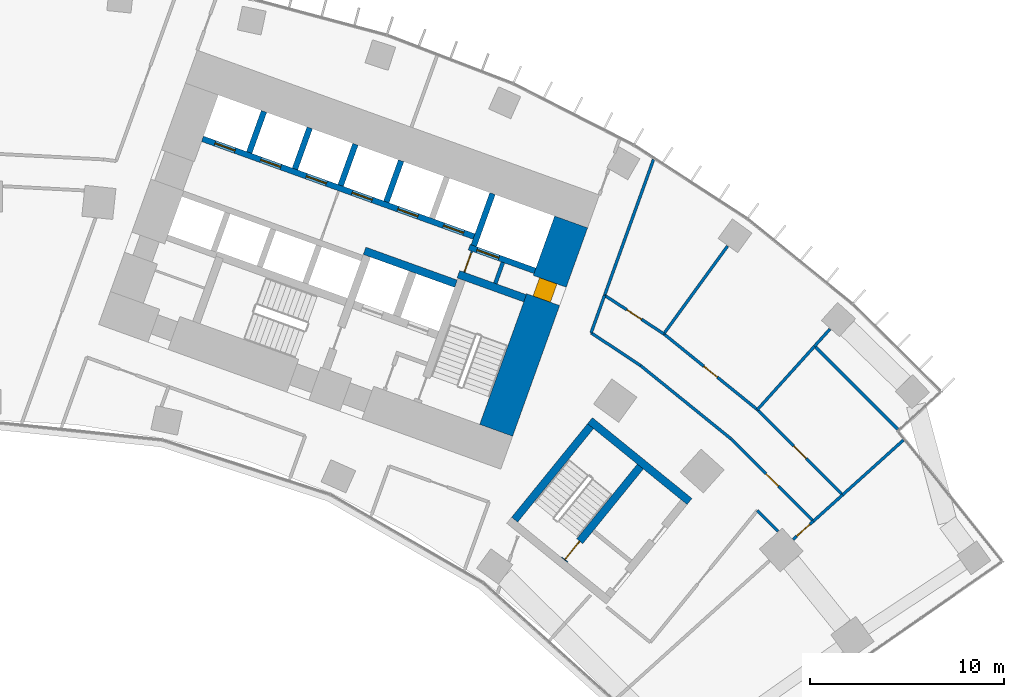
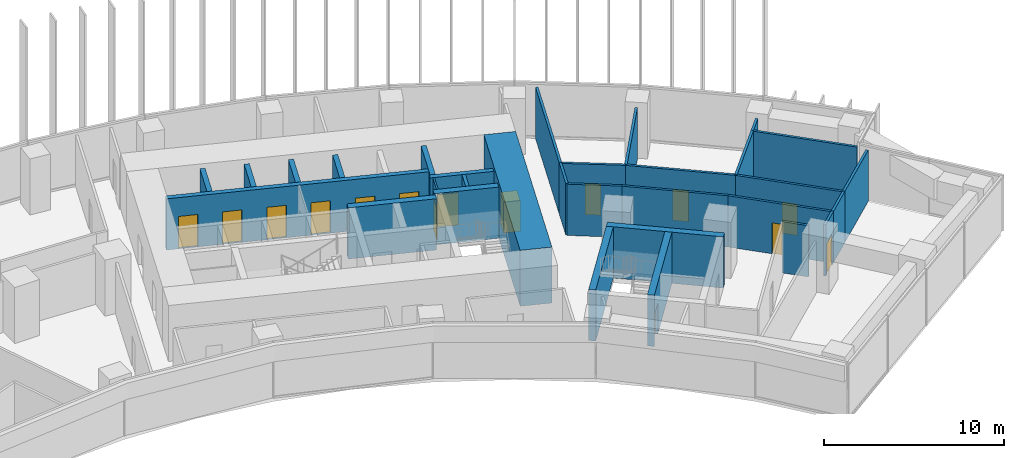
# One storey, part 21 of 24: 31 walls, 15 doors, 15 openings.
"""IFC4 building model written with IfcOpenShell, lengths in metres."""

from ifc_helpers import new_model, si_unit, direction, frame, frame_2d, origin, place, context, subcontext, project, spatial, rectangle, extrude, material, layer, layer_set, type_object, element, fill, save


model = new_model("IFC4")

# Units and contexts
model_context = context("Model", 3, precision=1e-05, world=origin(), true_north=direction((0.0, 1.0)))
body_context = subcontext(model_context, "Body", "Model", "MODEL_VIEW")
ifc_project = project(units=[si_unit("LENGTHUNIT", "METRE"), si_unit("AREAUNIT", "SQUARE_METRE"), si_unit("VOLUMEUNIT", "CUBIC_METRE"), si_unit("PLANEANGLEUNIT", "RADIAN"), si_unit("MASSUNIT", "GRAM", prefix="KILO")], contexts=[model_context])

# Site, building, storey
site_placement = place(None, origin())
site = spatial("IfcSite", under=ifc_project, at=site_placement, CompositionType="ELEMENT")
building_placement = place(site_placement, origin())
building = spatial("IfcBuilding", under=site, at=building_placement, Name="Stone Belt Terrace Tower", CompositionType="ELEMENT")
storey_placement = place(building_placement, frame((0.0, 0.0, 64.199951171875)))
storey = spatial("IfcBuildingStorey", under=building, at=storey_placement, Name="L15", CompositionType="ELEMENT", Elevation=64.199951171875)

# Wall, opening, door
ifc_material_1 = material(Name="Plasterboard partition")
ifc_layer_1 = layer(ifc_material_1, 0.10009765625)
ifc_layer_set_1 = layer_set([ifc_layer_1], Name="Core partition 100")
wall_type_1 = type_object("IfcWallType", Name="Core partition 100", PredefinedType="PARTITIONING", material=ifc_layer_set_1)
wall_1_placement = place(storey_placement, frame((24.555908203125, 51.10400390625, 0.0), z_axis=(0.0, 0.0, 1.0), x_axis=(0.338621735342, 0.94092258999, 0.0)))
wall_1 = element("IfcWall", 1, at=wall_1_placement, inside=storey, type_object=wall_type_1, Name="Core B wall", PredefinedType="PARTITIONING", context=body_context, shape_type="SweptSolid", body=[
    extrude(rectangle(XDim=1.14990234375, YDim=0.10009765625, at=frame_2d((0.574951171875, 0.0))), origin(), (0.0, 0.0, 1.0), 3.47998046875),
])
opening_1_placement = place(wall_1_placement, frame((0.050048828125, 0.0, 0.0)))
opening_1 = element("IfcOpeningElement", 2, at=opening_1_placement, cuts=wall_1, Name="Opening L15-C13", PredefinedType="OPENING", context=body_context, shape_type="SweptSolid", body=[
    extrude(rectangle(XDim=1.0, YDim=2.10009765625, at=frame_2d((0.5, 1.050048828125))), frame((0.0, 0.06005859375, 0.0), z_axis=(0.0, -1.0, 0.0), x_axis=(1.0, 0.0, 0.0)), (0.0, 0.0, 1.0), 0.1201171875),
])
ifc_material_2 = material(Name="Timber door leaf", Category="wood")
door_type_1 = type_object("IfcDoorType", Name="Core room door 1000", OperationType="SINGLE_SWING_LEFT", PredefinedType="DOOR", material=ifc_material_2)
door_1_placement = place(opening_1_placement, origin())
door_1 = element("IfcDoor", 3, at=door_1_placement, inside=storey, type_object=door_type_1, Name="Service lift lobby door core B", OperationType="SINGLE_SWING_RIGHT", OverallHeight=2.10009765625, OverallWidth=1.0, PredefinedType="DOOR", context=body_context, shape_type="SweptSolid", body=[
    extrude(rectangle(XDim=1.0, YDim=2.10009765625, at=frame_2d((0.5, 1.050048828125))), frame((0.0, 0.02490234375, 0.0), z_axis=(0.0, -1.0, 0.0), x_axis=(1.0, 0.0, 0.0)), (0.0, 0.0, 1.0), 0.050048828125),
])
fill(opening_1, door_1)

ifc_material_3 = material(Name="Concrete B80", Category="concrete")
ifc_layer_2 = layer(ifc_material_3, 1.800048828125)
ifc_layer_set_2 = layer_set([ifc_layer_2], Name="Core wall 1800 B80")
wall_type_2 = type_object("IfcWallType", Name="Core wall 1800 B80", PredefinedType="SHEAR", material=ifc_layer_set_2)
wall_2_placement = place(storey_placement, frame((26.197509765625, 42.96728515625, 0.0), z_axis=(0.0, 0.0, 1.0), x_axis=(0.338625431531, 0.940921259788, 0.0)))
wall_2 = element("IfcWall", 4, at=wall_2_placement, inside=storey, type_object=wall_type_2, Name="Core B wall end_b L15", PredefinedType="SHEAR", context=body_context, shape_type="SweptSolid", body=[
    extrude(rectangle(XDim=11.400146484375, YDim=1.800048828125, at=frame_2d((5.7001953125, 0.0))), origin(), (0.0, 0.0, 1.0), 3.800048828125),
])
opening_2_placement = place(wall_2_placement, frame((7.150146484375, 0.0, 0.0)))
opening_2 = element("IfcOpeningElement", 5, at=opening_2_placement, cuts=wall_2, Name="Opening L15-C12", PredefinedType="OPENING", context=body_context, shape_type="SweptSolid", body=[
    extrude(rectangle(XDim=1.0, YDim=2.10009765625, at=frame_2d((0.5, 1.050048828125))), frame((0.0, 0.909912109375, 0.0), z_axis=(0.0, -1.0, 0.0), x_axis=(1.0, 0.0, 0.0)), (0.0, 0.0, 1.0), 1.820068359375),
])
door_2_placement = place(opening_2_placement, origin())
door_2 = element("IfcDoor", 6, at=door_2_placement, inside=storey, type_object=door_type_1, Name="Door to Telecommunications riser room core B", OperationType="SINGLE_SWING_LEFT", OverallHeight=2.10009765625, OverallWidth=1.0, PredefinedType="DOOR", context=body_context, shape_type="SweptSolid", body=[
    extrude(rectangle(XDim=1.0, YDim=2.10009765625, at=frame_2d((0.5, 1.050048828125))), frame((0.0, 0.55517578125, 0.0), z_axis=(0.0, -1.0, 0.0), x_axis=(1.0, 0.0, 0.0)), (0.0, 0.0, 1.0), 0.949951171875),
])
fill(opening_2, door_2)

# Wall
ifc_layer_3 = layer(ifc_material_3, 0.39990234375)
ifc_layer_set_3 = layer_set([ifc_layer_3], Name="Fire-fighting lift shaft wall 400")
wall_type_3 = type_object("IfcWallType", Name="Fire-fighting lift shaft wall 400", PredefinedType="SHEAR", material=ifc_layer_set_3)
wall_3_placement = place(storey_placement, frame((24.130615234375, 50.512939453125, 0.0), z_axis=(0.0, 0.0, 1.0), x_axis=(-0.94091168377, 0.338652038744, 0.0)))
element("IfcWall", 7, at=wall_3_placement, inside=storey, type_object=wall_type_3, Name="Core B wall", PredefinedType="SHEAR", context=body_context, shape_type="SweptSolid", body=[
    extrude(rectangle(XDim=5.000244140625, YDim=0.39990234375, at=frame_2d((2.5, 0.0))), origin(), (0.0, 0.0, 1.0), 3.47998046875),
])

# Wall, opening, door
ifc_layer_4 = layer(ifc_material_3, 0.300048828125)
ifc_layer_set_4 = layer_set([ifc_layer_4], Name="Lift shaft wall 300")
wall_type_4 = type_object("IfcWallType", Name="Lift shaft wall 300", PredefinedType="SHEAR", material=ifc_layer_set_4)
wall_4_placement = place(storey_placement, frame((28.195068359375, 51.17578125, 0.0), z_axis=(0.0, 0.0, 1.0), x_axis=(-0.940901243567, 0.338681044427, 0.0)))
wall_4 = element("IfcWall", 8, at=wall_4_placement, inside=storey, type_object=wall_type_4, Name="Core B wall", PredefinedType="SHEAR", context=body_context, shape_type="SweptSolid", body=[
    extrude(rectangle(XDim=3.599853515625, YDim=0.300048828125, at=frame_2d((1.7998046875, 0.0))), origin(), (0.0, 0.0, 1.0), 3.47998046875),
])
opening_3_placement = place(wall_4_placement, frame((1.969970703125, 0.0, 0.0)))
opening_3 = element("IfcOpeningElement", 9, at=opening_3_placement, cuts=wall_4, Name="Opening L15-LD18", PredefinedType="OPENING", context=body_context, shape_type="SweptSolid", body=[
    extrude(rectangle(XDim=1.199951171875, YDim=2.199951171875, at=frame_2d((0.60009765625, 1.10009765625))), frame((0.0, 0.159912109375, 0.0), z_axis=(0.0, -1.0, 0.0), x_axis=(1.0, 0.0, 0.0)), (0.0, 0.0, 1.0), 0.320068359375),
])
ifc_material_4 = material(Name="Stainless steel door leaf", Category="steel")
door_type_2 = type_object("IfcDoorType", Name="Landing door 1200", OperationType="SLIDING_TO_LEFT", PredefinedType="DOOR", material=ifc_material_4)
door_3_placement = place(opening_3_placement, origin())
door_3 = element("IfcDoor", 10, at=door_3_placement, inside=storey, type_object=door_type_2, Name="Landing door SV1 core B", OperationType="SLIDING_TO_LEFT", OverallHeight=2.199951171875, OverallWidth=1.199951171875, PredefinedType="DOOR", context=body_context, shape_type="SweptSolid", body=[
    extrude(rectangle(XDim=1.199951171875, YDim=2.199951171875, at=frame_2d((0.60009765625, 1.10009765625))), frame((0.0, 0.02490234375, 0.0), z_axis=(0.0, -1.0, 0.0), x_axis=(1.0, 0.0, 0.0)), (0.0, 0.0, 1.0), 0.050048828125),
])
fill(opening_3, door_3)

# Wall
wall_5_placement = place(storey_placement, frame((25.046875, 52.46826171875, 0.0), z_axis=(0.0, 0.0, 1.0), x_axis=(0.338549588058, 0.940948551423, 0.0)))
element("IfcWall", 11, at=wall_5_placement, inside=storey, type_object=wall_type_4, Name="Core B wall", PredefinedType="SHEAR", context=body_context, shape_type="SweptSolid", body=[
    extrude(rectangle(XDim=2.849853515625, YDim=0.300048828125, at=frame_2d((1.4248046875, 0.0))), origin(), (0.0, 0.0, 1.0), 3.47998046875),
])

# Wall, openings, doors
wall_6_placement = place(storey_placement, frame((25.05810546875, 52.9423828125, 0.0), z_axis=(0.0, 0.0, 1.0), x_axis=(-0.940918215764, 0.338633889685, 0.0)))
wall_6 = element("IfcWall", 12, at=wall_6_placement, inside=storey, type_object=wall_type_4, Name="Core B wall", PredefinedType="SHEAR", context=body_context, shape_type="SweptSolid", body=[
    extrude(rectangle(XDim=14.850341796875, YDim=0.300048828125, at=frame_2d((7.42529296875, 0.0))), origin(), (0.0, 0.0, 1.0), 3.47998046875),
])
opening_4_placement = place(wall_6_placement, frame((0.570068359375, 0.0, 0.0)))
opening_4 = element("IfcOpeningElement", 13, at=opening_4_placement, cuts=wall_6, Name="Opening L15-LD10", PredefinedType="OPENING", context=body_context, shape_type="SweptSolid", body=[
    extrude(rectangle(XDim=1.10009765625, YDim=2.199951171875, at=frame_2d((0.550048828125, 1.10009765625))), frame((0.0, 0.159912109375, 0.0), z_axis=(0.0, -1.0, 0.0), x_axis=(1.0, 0.0, 0.0)), (0.0, 0.0, 1.0), 0.320068359375),
])
opening_5_placement = place(wall_6_placement, frame((3.070068359375, 0.0, 0.0)))
opening_5 = element("IfcOpeningElement", 14, at=opening_5_placement, cuts=wall_6, Name="Opening L15-LD11", PredefinedType="OPENING", context=body_context, shape_type="SweptSolid", body=[
    extrude(rectangle(XDim=1.10009765625, YDim=2.199951171875, at=frame_2d((0.550048828125, 1.10009765625))), frame((0.0, 0.159912109375, 0.0), z_axis=(0.0, -1.0, 0.0), x_axis=(1.0, 0.0, 0.0)), (0.0, 0.0, 1.0), 0.320068359375),
])
opening_6_placement = place(wall_6_placement, frame((5.570068359375, 0.0, 0.0)))
opening_6 = element("IfcOpeningElement", 15, at=opening_6_placement, cuts=wall_6, Name="Opening L15-LD12", PredefinedType="OPENING", context=body_context, shape_type="SweptSolid", body=[
    extrude(rectangle(XDim=1.10009765625, YDim=2.199951171875, at=frame_2d((0.550048828125, 1.10009765625))), frame((0.0, 0.159912109375, 0.0), z_axis=(0.0, -1.0, 0.0), x_axis=(1.0, 0.0, 0.0)), (0.0, 0.0, 1.0), 0.320068359375),
])
opening_7_placement = place(wall_6_placement, frame((8.070068359375, 0.0, 0.0)))
opening_7 = element("IfcOpeningElement", 16, at=opening_7_placement, cuts=wall_6, Name="Opening L15-LD13", PredefinedType="OPENING", context=body_context, shape_type="SweptSolid", body=[
    extrude(rectangle(XDim=1.10009765625, YDim=2.199951171875, at=frame_2d((0.550048828125, 1.10009765625))), frame((0.0, 0.159912109375, 0.0), z_axis=(0.0, -1.0, 0.0), x_axis=(1.0, 0.0, 0.0)), (0.0, 0.0, 1.0), 0.320068359375),
])
opening_8_placement = place(wall_6_placement, frame((10.570068359375, 0.0, 0.0)))
opening_8 = element("IfcOpeningElement", 17, at=opening_8_placement, cuts=wall_6, Name="Opening L15-LD14", PredefinedType="OPENING", context=body_context, shape_type="SweptSolid", body=[
    extrude(rectangle(XDim=1.10009765625, YDim=2.199951171875, at=frame_2d((0.550048828125, 1.10009765625))), frame((0.0, 0.159912109375, 0.0), z_axis=(0.0, -1.0, 0.0), x_axis=(1.0, 0.0, 0.0)), (0.0, 0.0, 1.0), 0.320068359375),
])
opening_9_placement = place(wall_6_placement, frame((13.070068359375, 0.0, 0.0)))
opening_9 = element("IfcOpeningElement", 18, at=opening_9_placement, cuts=wall_6, Name="Opening L15-LD15", PredefinedType="OPENING", context=body_context, shape_type="SweptSolid", body=[
    extrude(rectangle(XDim=1.10009765625, YDim=2.199951171875, at=frame_2d((0.550048828125, 1.10009765625))), frame((0.0, 0.159912109375, 0.0), z_axis=(0.0, -1.0, 0.0), x_axis=(1.0, 0.0, 0.0)), (0.0, 0.0, 1.0), 0.320068359375),
])
door_type_3 = type_object("IfcDoorType", Name="Landing door 1100", OperationType="SLIDING_TO_LEFT", PredefinedType="DOOR", material=ifc_material_4)
door_4_placement = place(opening_4_placement, origin())
door_4 = element("IfcDoor", 19, at=door_4_placement, inside=storey, type_object=door_type_3, Name="Landing door LR1 core B", OperationType="SLIDING_TO_LEFT", OverallHeight=2.199951171875, OverallWidth=1.10009765625, PredefinedType="DOOR", context=body_context, shape_type="SweptSolid", body=[
    extrude(rectangle(XDim=1.10009765625, YDim=2.199951171875, at=frame_2d((0.550048828125, 1.10009765625))), frame((0.0, 0.02490234375, 0.0), z_axis=(0.0, -1.0, 0.0), x_axis=(1.0, 0.0, 0.0)), (0.0, 0.0, 1.0), 0.050048828125),
])
fill(opening_4, door_4)
door_5_placement = place(opening_5_placement, origin())
door_5 = element("IfcDoor", 20, at=door_5_placement, inside=storey, type_object=door_type_3, Name="Landing door LR2 core B", OperationType="SLIDING_TO_LEFT", OverallHeight=2.199951171875, OverallWidth=1.10009765625, PredefinedType="DOOR", context=body_context, shape_type="SweptSolid", body=[
    extrude(rectangle(XDim=1.10009765625, YDim=2.199951171875, at=frame_2d((0.550048828125, 1.10009765625))), frame((0.0, 0.02490234375, 0.0), z_axis=(0.0, -1.0, 0.0), x_axis=(1.0, 0.0, 0.0)), (0.0, 0.0, 1.0), 0.050048828125),
])
fill(opening_5, door_5)
door_6_placement = place(opening_6_placement, origin())
door_6 = element("IfcDoor", 21, at=door_6_placement, inside=storey, type_object=door_type_3, Name="Landing door LR3 core B", OperationType="SLIDING_TO_LEFT", OverallHeight=2.199951171875, OverallWidth=1.10009765625, PredefinedType="DOOR", context=body_context, shape_type="SweptSolid", body=[
    extrude(rectangle(XDim=1.10009765625, YDim=2.199951171875, at=frame_2d((0.550048828125, 1.10009765625))), frame((0.0, 0.02490234375, 0.0), z_axis=(0.0, -1.0, 0.0), x_axis=(1.0, 0.0, 0.0)), (0.0, 0.0, 1.0), 0.050048828125),
])
fill(opening_6, door_6)
door_7_placement = place(opening_7_placement, origin())
door_7 = element("IfcDoor", 22, at=door_7_placement, inside=storey, type_object=door_type_3, Name="Landing door LR4 core B", OperationType="SLIDING_TO_LEFT", OverallHeight=2.199951171875, OverallWidth=1.10009765625, PredefinedType="DOOR", context=body_context, shape_type="SweptSolid", body=[
    extrude(rectangle(XDim=1.10009765625, YDim=2.199951171875, at=frame_2d((0.550048828125, 1.10009765625))), frame((0.0, 0.02490234375, 0.0), z_axis=(0.0, -1.0, 0.0), x_axis=(1.0, 0.0, 0.0)), (0.0, 0.0, 1.0), 0.050048828125),
])
fill(opening_7, door_7)
door_8_placement = place(opening_8_placement, origin())
door_8 = element("IfcDoor", 23, at=door_8_placement, inside=storey, type_object=door_type_3, Name="Landing door LR5 core B", OperationType="SLIDING_TO_LEFT", OverallHeight=2.199951171875, OverallWidth=1.10009765625, PredefinedType="DOOR", context=body_context, shape_type="SweptSolid", body=[
    extrude(rectangle(XDim=1.10009765625, YDim=2.199951171875, at=frame_2d((0.550048828125, 1.10009765625))), frame((0.0, 0.02490234375, 0.0), z_axis=(0.0, -1.0, 0.0), x_axis=(1.0, 0.0, 0.0)), (0.0, 0.0, 1.0), 0.050048828125),
])
fill(opening_8, door_8)
door_9_placement = place(opening_9_placement, origin())
door_9 = element("IfcDoor", 24, at=door_9_placement, inside=storey, type_object=door_type_3, Name="Landing door LR6 core B", OperationType="SLIDING_TO_LEFT", OverallHeight=2.199951171875, OverallWidth=1.10009765625, PredefinedType="DOOR", context=body_context, shape_type="SweptSolid", body=[
    extrude(rectangle(XDim=1.10009765625, YDim=2.199951171875, at=frame_2d((0.550048828125, 1.10009765625))), frame((0.0, 0.02490234375, 0.0), z_axis=(0.0, -1.0, 0.0), x_axis=(1.0, 0.0, 0.0)), (0.0, 0.0, 1.0), 0.050048828125),
])
fill(opening_9, door_9)

# Walls
wall_7_placement = place(storey_placement, frame((20.54541015625, 54.72607421875, 0.0), z_axis=(0.0, 0.0, 1.0), x_axis=(0.338569601369, 0.940941350472, 0.0)))
element("IfcWall", 25, at=wall_7_placement, inside=storey, type_object=wall_type_4, Name="Core B wall", PredefinedType="SHEAR", context=body_context, shape_type="SweptSolid", body=[
    extrude(rectangle(XDim=2.249755859375, YDim=0.300048828125, at=frame_2d((1.125, 0.0))), origin(), (0.0, 0.0, 1.0), 3.47998046875),
])
wall_8_placement = place(storey_placement, frame((18.193115234375, 55.572509765625, 0.0), z_axis=(0.0, 0.0, 1.0), x_axis=(0.338535034312, 0.940953787677, 0.0)))
element("IfcWall", 26, at=wall_8_placement, inside=storey, type_object=wall_type_4, Name="Core B wall", PredefinedType="SHEAR", context=body_context, shape_type="SweptSolid", body=[
    extrude(rectangle(XDim=2.25, YDim=0.300048828125, at=frame_2d((1.125, 0.0))), origin(), (0.0, 0.0, 1.0), 3.47998046875),
])
wall_9_placement = place(storey_placement, frame((15.8408203125, 56.419189453125, 0.0), z_axis=(0.0, 0.0, 1.0), x_axis=(0.338569601369, 0.940941350472, 0.0)))
element("IfcWall", 27, at=wall_9_placement, inside=storey, type_object=wall_type_4, Name="Core B wall", PredefinedType="SHEAR", context=body_context, shape_type="SweptSolid", body=[
    extrude(rectangle(XDim=2.249755859375, YDim=0.300048828125, at=frame_2d((1.125, 0.0))), origin(), (0.0, 0.0, 1.0), 3.47998046875),
])
wall_10_placement = place(storey_placement, frame((13.48828125, 57.265625, 0.0), z_axis=(0.0, 0.0, 1.0), x_axis=(0.338631098537, 0.940919220286, 0.0)))
element("IfcWall", 28, at=wall_10_placement, inside=storey, type_object=wall_type_4, Name="Core B wall", PredefinedType="SHEAR", context=body_context, shape_type="SweptSolid", body=[
    extrude(rectangle(XDim=2.250244140625, YDim=0.300048828125, at=frame_2d((1.125, 0.0))), origin(), (0.0, 0.0, 1.0), 3.47998046875),
])
ifc_material_5 = material(Name="Gypsum board partition")
ifc_layer_5 = layer(ifc_material_5, 0.14990234375)
ifc_layer_set_5 = layer_set([ifc_layer_5], Name="PARTITION 150 EI 60")
wall_type_5 = type_object("IfcWallType", Name="PARTITION 150 EI 60", PredefinedType="PARTITIONING", material=ifc_layer_set_5)
wall_11_placement = place(storey_placement, frame((31.781982421875, 49.922119140625, 0.0), z_axis=(0.0, 0.0, 1.0), x_axis=(-0.338669131868, -0.940905531454, 0.0)))
element("IfcWall", 29, at=wall_11_placement, inside=storey, type_object=wall_type_5, Name="L15/wall/i028", PredefinedType="PARTITIONING", context=body_context, shape_type="SweptSolid", body=[
    extrude(rectangle(XDim=2.06103515625, YDim=0.14990234375, at=frame_2d((1.030517578125, 0.0))), origin(), (0.0, 0.0, 1.0), 3.47998046875),
])
wall_12_placement = place(storey_placement, frame((34.298095703125, 56.91015625, 0.0), z_axis=(0.0, 0.0, 1.0), x_axis=(-0.338711334353, -0.94089034004, 0.0)))
element("IfcWall", 30, at=wall_12_placement, inside=storey, type_object=wall_type_5, Name="L15/wall/i029", PredefinedType="PARTITIONING", context=body_context, shape_type="SweptSolid", body=[
    extrude(rectangle(XDim=7.43994140625, YDim=0.14990234375, at=frame_2d((3.719970703125, 0.0))), origin(), (0.0, 0.0, 1.0), 3.47998046875),
])

# Wall, opening, door
wall_13_placement = place(storey_placement, frame((42.530029296875, 38.294921875, 0.0), z_axis=(0.0, 0.0, 1.0), x_axis=(-0.742938582599, -0.669359591316, 0.0)))
wall_13 = element("IfcWall", 31, at=wall_13_placement, inside=storey, type_object=wall_type_5, Name="L15/wall/i059", PredefinedType="PARTITIONING", context=body_context, shape_type="SweptSolid", body=[
    extrude(rectangle(XDim=1.400146484375, YDim=0.14990234375, at=frame_2d((0.7001953125, 0.0))), origin(), (0.0, 0.0, 1.0), 3.47998046875),
])
opening_10_placement = place(wall_13_placement, frame((0.250244140625, 0.0, 0.0)))
opening_10 = element("IfcOpeningElement", 32, at=opening_10_placement, cuts=wall_13, Name="Opening D-A4-21", PredefinedType="OPENING", context=body_context, shape_type="SweptSolid", body=[
    extrude(rectangle(XDim=0.89990234375, YDim=2.10009765625, at=frame_2d((0.449951171875, 1.050048828125))), frame((0.0, 0.0849609375, 0.0), z_axis=(0.0, -1.0, 0.0), x_axis=(1.0, 0.0, 0.0)), (0.0, 0.0, 1.0), 0.169921875),
])
ifc_material_6 = material(Name="Timber fire door leaf", Category="wood")
door_type_4 = type_object("IfcDoorType", Name="TENANCY ENTRANCE DOOR 900 X 2100", OperationType="NOTDEFINED", PredefinedType="DOOR", material=ifc_material_6)
door_10_placement = place(opening_10_placement, origin())
door_10 = element("IfcDoor", 33, at=door_10_placement, inside=storey, type_object=door_type_4, Name="L15/door/i21", OperationType="SINGLE_SWING_RIGHT", OverallHeight=2.10009765625, OverallWidth=0.89990234375, PredefinedType="DOOR", context=body_context, shape_type="SweptSolid", body=[
    extrude(rectangle(XDim=0.89990234375, YDim=2.10009765625, at=frame_2d((0.449951171875, 1.050048828125))), frame((0.0, 0.02490234375, 0.0), z_axis=(0.0, -1.0, 0.0), x_axis=(1.0, 0.0, 0.0)), (0.0, 0.0, 1.0), 0.050048828125),
])
fill(opening_10, door_10)

# Walls
wall_14_placement = place(storey_placement, frame((42.52197265625, 38.287109375, 0.0), z_axis=(0.0, 0.0, 1.0), x_axis=(0.743252398614, 0.66901111497, 0.0)))
element("IfcWall", 34, at=wall_14_placement, inside=storey, type_object=wall_type_5, Name="L15/wall/i061", PredefinedType="PARTITIONING", context=body_context, shape_type="SweptSolid", body=[
    extrude(rectangle(XDim=2.03564453125, YDim=0.14990234375, at=frame_2d((1.017822265625, 0.0))), origin(), (0.0, 0.0, 1.0), 3.47998046875),
])
wall_15_placement = place(storey_placement, frame((44.02587890625, 39.64208984375, 0.0), z_axis=(0.0, 0.0, 1.0), x_axis=(0.743199184027, 0.669070230142, 0.0)))
element("IfcWall", 35, at=wall_15_placement, inside=storey, type_object=wall_type_5, Name="L15/wall/i062", PredefinedType="PARTITIONING", context=body_context, shape_type="SweptSolid", body=[
    extrude(rectangle(XDim=4.218994140625, YDim=0.14990234375, at=frame_2d((2.109375, 0.0))), origin(), (0.0, 0.0, 1.0), 3.47998046875),
])
wall_16_placement = place(storey_placement, frame((40.71240234375, 37.7744140625, 0.0), z_axis=(0.0, 0.0, 1.0), x_axis=(-0.707106781187, 0.707106781187, 0.0)))
element("IfcWall", 36, at=wall_16_placement, inside=storey, type_object=wall_type_5, Name="L15/wall/i063", PredefinedType="PARTITIONING", context=body_context, shape_type="SweptSolid", body=[
    extrude(rectangle(XDim=1.51806640625, YDim=0.14990234375, at=frame_2d((0.759033203125, 0.0))), origin(), (0.0, 0.0, 1.0), 3.47998046875),
])
wall_17_placement = place(storey_placement, frame((31.0859375, 47.988037109375, 0.0), z_axis=(0.0, 0.0, 1.0), x_axis=(0.833238850842, -0.552913209688, 0.0)))
element("IfcWall", 37, at=wall_17_placement, inside=storey, type_object=wall_type_5, Name="L15/wall/i064", PredefinedType="PARTITIONING", context=body_context, shape_type="SweptSolid", body=[
    extrude(rectangle(XDim=3.060302734375, YDim=0.14990234375, at=frame_2d((1.5302734375, 0.0))), origin(), (0.0, 0.0, 1.0), 3.47998046875),
])
wall_18_placement = place(storey_placement, frame((33.635986328125, 46.2958984375, 0.0), z_axis=(0.0, 0.0, 1.0), x_axis=(0.77714422733, -0.629322532513, 0.0)))
element("IfcWall", 38, at=wall_18_placement, inside=storey, type_object=wall_type_5, Name="L15/wall/i065", PredefinedType="PARTITIONING", context=body_context, shape_type="SweptSolid", body=[
    extrude(rectangle(XDim=5.98876953125, YDim=0.14990234375, at=frame_2d((2.994384765625, 0.0))), origin(), (0.0, 0.0, 1.0), 3.47998046875),
])

# Wall, opening, door
wall_19_placement = place(storey_placement, frame((38.291015625, 42.52587890625, 0.0), z_axis=(0.0, 0.0, 1.0), x_axis=(0.707106781187, -0.707106781187, 0.0)))
wall_19 = element("IfcWall", 39, at=wall_19_placement, inside=storey, type_object=wall_type_5, Name="L15/wall/i066", PredefinedType="PARTITIONING", context=body_context, shape_type="SweptSolid", body=[
    extrude(rectangle(XDim=5.989013671875, YDim=0.14990234375, at=frame_2d((2.99462890625, 0.0))), origin(), (0.0, 0.0, 1.0), 3.47998046875),
])
opening_11_placement = place(wall_19_placement, frame((2.544677734375, 0.0, 0.0)))
opening_11 = element("IfcOpeningElement", 40, at=opening_11_placement, cuts=wall_19, Name="Opening D-A4-24", PredefinedType="OPENING", context=body_context, shape_type="SweptSolid", body=[
    extrude(rectangle(XDim=0.89990234375, YDim=2.10009765625, at=frame_2d((0.449951171875, 1.050048828125))), frame((0.0, 0.0849609375, 0.0), z_axis=(0.0, -1.0, 0.0), x_axis=(1.0, 0.0, 0.0)), (0.0, 0.0, 1.0), 0.169921875),
])
door_type_5 = type_object("IfcDoorType", Name="OFFICE DOOR 900 X 2100", OperationType="NOTDEFINED", PredefinedType="DOOR", material=ifc_material_2)
door_11_placement = place(opening_11_placement, origin())
door_11 = element("IfcDoor", 41, at=door_11_placement, inside=storey, type_object=door_type_5, Name="L15/door/i24", OperationType="SINGLE_SWING_RIGHT", OverallHeight=2.10009765625, OverallWidth=0.89990234375, PredefinedType="DOOR", context=body_context, shape_type="SweptSolid", body=[
    extrude(rectangle(XDim=0.89990234375, YDim=2.10009765625, at=frame_2d((0.449951171875, 1.050048828125))), frame((0.0, 0.02490234375, 0.0), z_axis=(0.0, -1.0, 0.0), x_axis=(1.0, 0.0, 0.0)), (0.0, 0.0, 1.0), 0.050048828125),
])
fill(opening_11, door_11)

wall_20_placement = place(storey_placement, frame((31.780029296875, 49.916015625, 0.0), z_axis=(0.0, 0.0, 1.0), x_axis=(0.838179507416, -0.545394456653, 0.0)))
wall_20 = element("IfcWall", 42, at=wall_20_placement, inside=storey, type_object=wall_type_5, Name="L15/wall/i070", PredefinedType="PARTITIONING", context=body_context, shape_type="SweptSolid", body=[
    extrude(rectangle(XDim=3.634033203125, YDim=0.14990234375, at=frame_2d((1.81689453125, 0.0))), origin(), (0.0, 0.0, 1.0), 3.47998046875),
])
opening_12_placement = place(wall_20_placement, frame((1.366943359375, 0.0, 0.0)))
opening_12 = element("IfcOpeningElement", 43, at=opening_12_placement, cuts=wall_20, Name="Opening D-A4-25", PredefinedType="OPENING", context=body_context, shape_type="SweptSolid", body=[
    extrude(rectangle(XDim=0.89990234375, YDim=2.10009765625, at=frame_2d((0.449951171875, 1.050048828125))), frame((0.0, 0.0849609375, 0.0), z_axis=(0.0, -1.0, 0.0), x_axis=(1.0, 0.0, 0.0)), (0.0, 0.0, 1.0), 0.169921875),
])
door_12_placement = place(opening_12_placement, origin())
door_12 = element("IfcDoor", 44, at=door_12_placement, inside=storey, type_object=door_type_5, Name="L15/door/i25", OperationType="SINGLE_SWING_RIGHT", OverallHeight=2.10009765625, OverallWidth=0.89990234375, PredefinedType="DOOR", context=body_context, shape_type="SweptSolid", body=[
    extrude(rectangle(XDim=0.89990234375, YDim=2.10009765625, at=frame_2d((0.449951171875, 1.050048828125))), frame((0.0, 0.02490234375, 0.0), z_axis=(0.0, -1.0, 0.0), x_axis=(1.0, 0.0, 0.0)), (0.0, 0.0, 1.0), 0.050048828125),
])
fill(opening_12, door_12)

wall_21_placement = place(storey_placement, frame((34.825927734375, 47.93408203125, 0.0), z_axis=(0.0, 0.0, 1.0), x_axis=(0.777094493267, -0.629383943658, 0.0)))
wall_21 = element("IfcWall", 45, at=wall_21_placement, inside=storey, type_object=wall_type_5, Name="L15/wall/i071", PredefinedType="PARTITIONING", context=body_context, shape_type="SweptSolid", body=[
    extrude(rectangle(XDim=6.201416015625, YDim=0.14990234375, at=frame_2d((3.1005859375, 0.0))), origin(), (0.0, 0.0, 1.0), 3.47998046875),
])
opening_13_placement = place(wall_21_placement, frame((2.650634765625, 0.0, 0.0)))
opening_13 = element("IfcOpeningElement", 46, at=opening_13_placement, cuts=wall_21, Name="Opening D-A4-26", PredefinedType="OPENING", context=body_context, shape_type="SweptSolid", body=[
    extrude(rectangle(XDim=0.89990234375, YDim=2.10009765625, at=frame_2d((0.449951171875, 1.050048828125))), frame((0.0, 0.0849609375, 0.0), z_axis=(0.0, -1.0, 0.0), x_axis=(1.0, 0.0, 0.0)), (0.0, 0.0, 1.0), 0.169921875),
])
door_13_placement = place(opening_13_placement, origin())
door_13 = element("IfcDoor", 47, at=door_13_placement, inside=storey, type_object=door_type_5, Name="L15/door/i26", OperationType="SINGLE_SWING_RIGHT", OverallHeight=2.10009765625, OverallWidth=0.89990234375, PredefinedType="DOOR", context=body_context, shape_type="SweptSolid", body=[
    extrude(rectangle(XDim=0.89990234375, YDim=2.10009765625, at=frame_2d((0.449951171875, 1.050048828125))), frame((0.0, 0.02490234375, 0.0), z_axis=(0.0, -1.0, 0.0), x_axis=(1.0, 0.0, 0.0)), (0.0, 0.0, 1.0), 0.050048828125),
])
fill(opening_13, door_13)

wall_22_placement = place(storey_placement, frame((39.64501953125, 44.031005859375, 0.0), z_axis=(0.0, 0.0, 1.0), x_axis=(0.707106781187, -0.707106781187, 0.0)))
wall_22 = element("IfcWall", 48, at=wall_22_placement, inside=storey, type_object=wall_type_5, Name="L15/wall/i072", PredefinedType="PARTITIONING", context=body_context, shape_type="SweptSolid", body=[
    extrude(rectangle(XDim=6.201416015625, YDim=0.14990234375, at=frame_2d((3.1005859375, 0.0))), origin(), (0.0, 0.0, 1.0), 3.47998046875),
])
opening_14_placement = place(wall_22_placement, frame((2.650634765625, 0.0, 0.0)))
opening_14 = element("IfcOpeningElement", 49, at=opening_14_placement, cuts=wall_22, Name="Opening D-A4-27", PredefinedType="OPENING", context=body_context, shape_type="SweptSolid", body=[
    extrude(rectangle(XDim=0.89990234375, YDim=2.10009765625, at=frame_2d((0.449951171875, 1.050048828125))), frame((0.0, 0.0849609375, 0.0), z_axis=(0.0, -1.0, 0.0), x_axis=(1.0, 0.0, 0.0)), (0.0, 0.0, 1.0), 0.169921875),
])
door_14_placement = place(opening_14_placement, origin())
door_14 = element("IfcDoor", 50, at=door_14_placement, inside=storey, type_object=door_type_5, Name="L15/door/i27", OperationType="SINGLE_SWING_RIGHT", OverallHeight=2.10009765625, OverallWidth=0.89990234375, PredefinedType="DOOR", context=body_context, shape_type="SweptSolid", body=[
    extrude(rectangle(XDim=0.89990234375, YDim=2.10009765625, at=frame_2d((0.449951171875, 1.050048828125))), frame((0.0, 0.02490234375, 0.0), z_axis=(0.0, -1.0, 0.0), x_axis=(1.0, 0.0, 0.0)), (0.0, 0.0, 1.0), 0.050048828125),
])
fill(opening_14, door_14)

# Walls
wall_23_placement = place(storey_placement, frame((38.1083984375, 52.45166015625, 0.0), z_axis=(0.0, 0.0, 1.0), x_axis=(-0.587815499828, -0.80899501739, 0.0)))
element("IfcWall", 51, at=wall_23_placement, inside=storey, type_object=wall_type_5, Name="L15/wall/i073", PredefinedType="PARTITIONING", context=body_context, shape_type="SweptSolid", body=[
    extrude(rectangle(XDim=5.584228515625, YDim=0.14990234375, at=frame_2d((2.7919921875, 0.0))), origin(), (0.0, 0.0, 1.0), 3.47998046875),
])
wall_24_placement = place(storey_placement, frame((42.593017578125, 47.304931640625, 0.0), z_axis=(0.0, 0.0, 1.0), x_axis=(-0.669148410698, -0.743128793992, 0.0)))
element("IfcWall", 52, at=wall_24_placement, inside=storey, type_object=wall_type_5, Name="L15/wall/i074", PredefinedType="PARTITIONING", context=body_context, shape_type="SweptSolid", body=[
    extrude(rectangle(XDim=4.405517578125, YDim=0.14990234375, at=frame_2d((2.20263671875, 0.0))), origin(), (0.0, 0.0, 1.0), 3.47998046875),
])
wall_25_placement = place(storey_placement, frame((43.3818359375, 48.181396484375, 0.0), z_axis=(0.0, 0.0, 1.0), x_axis=(-0.669440512964, -0.742865667266, 0.0)))
element("IfcWall", 53, at=wall_25_placement, inside=storey, type_object=wall_type_5, Name="L15/wall/i075", PredefinedType="PARTITIONING", context=body_context, shape_type="SweptSolid", body=[
    extrude(rectangle(XDim=1.1904296875, YDim=0.14990234375, at=frame_2d((0.59521484375, 0.0))), origin(), (0.0, 0.0, 1.0), 3.47998046875),
])
wall_26_placement = place(storey_placement, frame((42.589111328125, 47.301025390625, 0.0), z_axis=(0.0, 0.0, 1.0), x_axis=(0.707106781187, -0.707106781187, 0.0)))
element("IfcWall", 54, at=wall_26_placement, inside=storey, type_object=wall_type_5, Name="L15/wall/i076", PredefinedType="PARTITIONING", context=body_context, shape_type="SweptSolid", body=[
    extrude(rectangle(XDim=6.059326171875, YDim=0.14990234375, at=frame_2d((3.02978515625, 0.0))), origin(), (0.0, 0.0, 1.0), 3.47998046875),
])
ifc_material_7 = material(Name="Concrete masonry block", Category="masonry")
ifc_layer_6 = layer(ifc_material_7, 0.199951171875)
ifc_layer_set_6 = layer_set([ifc_layer_6], Name="Rated lobby wall 200")
wall_type_6 = type_object("IfcWallType", Name="Rated lobby wall 200", PredefinedType="PARTITIONING", material=ifc_layer_set_6)
wall_27_placement = place(storey_placement, frame((26.1552734375, 50.5283203125, 0.0), z_axis=(0.0, 0.0, 1.0), x_axis=(0.338621735342, 0.94092258999, 0.0)))
element("IfcWall", 55, at=wall_27_placement, inside=storey, type_object=wall_type_6, Name="Core B wall", PredefinedType="PARTITIONING", context=body_context, shape_type="SweptSolid", body=[
    extrude(rectangle(XDim=1.14990234375, YDim=0.199951171875, at=frame_2d((0.574951171875, 0.0))), origin(), (0.0, 0.0, 1.0), 3.47998046875),
])
ifc_layer_7 = layer(ifc_material_3, 0.39990234375)
ifc_layer_set_7 = layer_set([ifc_layer_7], Name="Stair enclosure wall 400")
wall_type_7 = type_object("IfcWallType", Name="Stair enclosure wall 400", PredefinedType="SHEAR", material=ifc_layer_set_7)
wall_28_placement = place(storey_placement, frame((27.687255859375, 49.764404296875, 0.0), z_axis=(0.0, 0.0, 1.0), x_axis=(-0.940918954884, 0.338631835981, 0.0)))
element("IfcWall", 56, at=wall_28_placement, inside=storey, type_object=wall_type_7, Name="Core B wall", PredefinedType="SHEAR", context=body_context, shape_type="SweptSolid", body=[
    extrude(rectangle(XDim=3.650146484375, YDim=0.39990234375, at=frame_2d((1.8251953125, 0.0))), origin(), (0.0, 0.0, 1.0), 3.47998046875),
])
wall_29_placement = place(storey_placement, frame((31.02783203125, 43.46337890625, 0.0), z_axis=(0.0, 0.0, 1.0), x_axis=(0.776413760801, -0.630223509589, 0.0)))
element("IfcWall", 57, at=wall_29_placement, inside=storey, type_object=wall_type_7, Name="Exit stair ST3B wall", PredefinedType="SHEAR", context=body_context, shape_type="SweptSolid", body=[
    extrude(rectangle(XDim=6.599853515625, YDim=0.39990234375, at=frame_2d((3.2998046875, 0.0))), origin(), (0.0, 0.0, 1.0), 3.47998046875),
])
wall_30_placement = place(storey_placement, frame((27.149658203125, 38.3681640625, 0.0), z_axis=(0.0, 0.0, 1.0), x_axis=(0.630211551729, 0.776423466973, 0.0)))
element("IfcWall", 58, at=wall_30_placement, inside=storey, type_object=wall_type_7, Name="Exit stair ST3B wall", PredefinedType="SHEAR", context=body_context, shape_type="SweptSolid", body=[
    extrude(rectangle(XDim=6.199951171875, YDim=0.39990234375, at=frame_2d((3.10009765625, 0.0))), origin(), (0.0, 0.0, 1.0), 3.47998046875),
])

# Wall, opening, door
wall_31_placement = place(storey_placement, frame((29.7119140625, 36.288330078125, 0.0), z_axis=(0.0, 0.0, 1.0), x_axis=(0.630192283849, 0.776439106033, 0.0)))
wall_31 = element("IfcWall", 59, at=wall_31_placement, inside=storey, type_object=wall_type_7, Name="Exit stair ST3B wall", PredefinedType="SHEAR", context=body_context, shape_type="SweptSolid", body=[
    extrude(rectangle(XDim=6.199951171875, YDim=0.39990234375, at=frame_2d((3.10009765625, 0.0))), origin(), (0.0, 0.0, 1.0), 3.47998046875),
])
opening_15_placement = place(wall_31_placement, frame((0.050048828125, 0.0, 0.0)))
opening_15 = element("IfcOpeningElement", 60, at=opening_15_placement, cuts=wall_31, Name="Opening L15-C26", PredefinedType="OPENING", context=body_context, shape_type="SweptSolid", body=[
    extrude(rectangle(XDim=1.199951171875, YDim=2.10009765625, at=frame_2d((0.60009765625, 1.050048828125))), frame((0.0, 0.2099609375, 0.0), z_axis=(0.0, -1.0, 0.0), x_axis=(1.0, 0.0, 0.0)), (0.0, 0.0, 1.0), 0.419921875),
])
ifc_material_8 = material(Name="Steel door leaf", Category="steel")
door_type_6 = type_object("IfcDoorType", Name="Stair door 1200", OperationType="SINGLE_SWING_LEFT", PredefinedType="DOOR", material=ifc_material_8)
door_15_placement = place(opening_15_placement, origin())
door_15 = element("IfcDoor", 61, at=door_15_placement, inside=storey, type_object=door_type_6, Name="Stair door ST3B", OperationType="SINGLE_SWING_RIGHT", OverallHeight=2.10009765625, OverallWidth=1.199951171875, PredefinedType="DOOR", context=body_context, shape_type="SweptSolid", body=[
    extrude(rectangle(XDim=1.199951171875, YDim=2.10009765625, at=frame_2d((0.60009765625, 1.050048828125))), frame((0.0, 0.02490234375, 0.0), z_axis=(0.0, -1.0, 0.0), x_axis=(1.0, 0.0, 0.0)), (0.0, 0.0, 1.0), 0.050048828125),
])
fill(opening_15, door_15)

save(model, "model.ifc")
